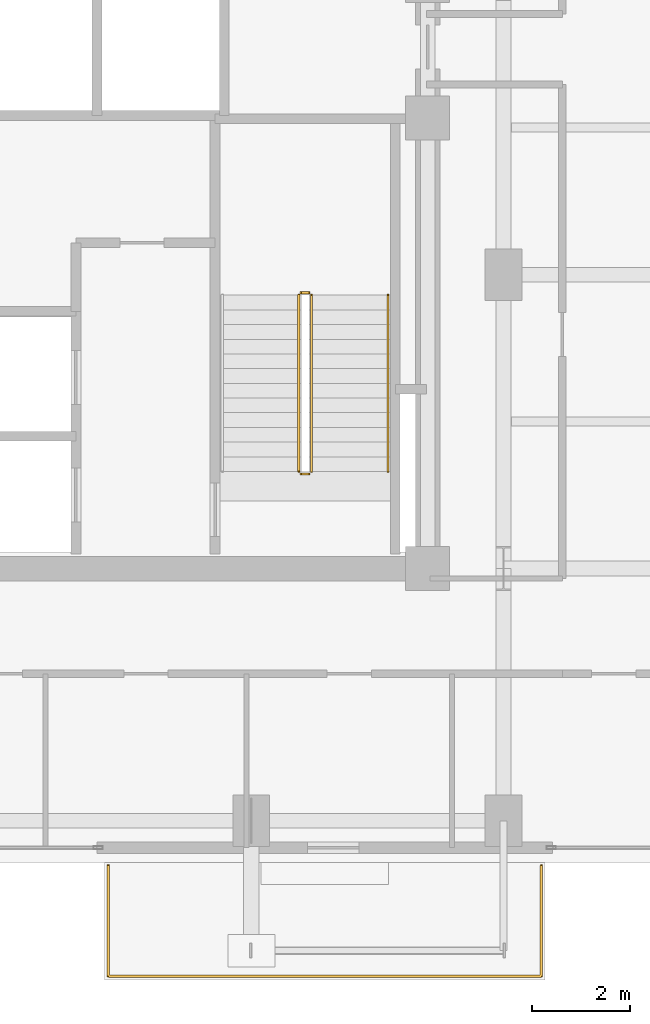
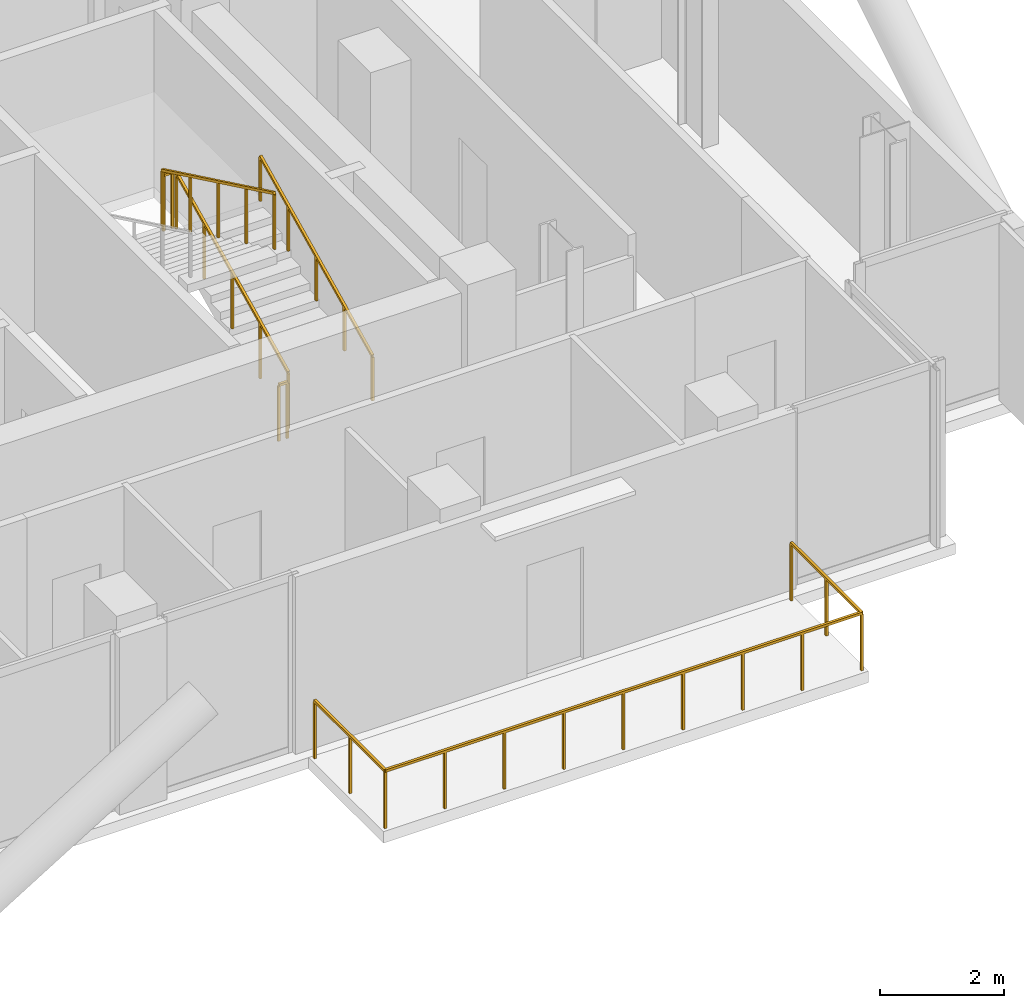
# One storey, part 26 of 26: 6 railings.
"""IFC4 building model written with IfcOpenShell, lengths in metres."""

import ifcopenshell
import ifcopenshell.guid

model = None  # the IFC model being written
_history = None  # IfcOwnerHistory: only IFC2X3 demands one
_inside = {}  # id of a spatial element -> (the spatial element, [elements in it])
_under = {}  # id of a project, library or spatial element -> (it, [spatial elements below it])
_declared = {}  # id of a project -> (the project, [libraries it declares])
_typed = {}  # id of a type object -> (the type object, [elements of that type])
_made_of = {}  # id of a material, layer set ... -> (it, [elements and type objects made of it])


def new_model(schema):
    """Start an empty IFC model of exactly this schema.

    Asked for "IFC4X3", IfcOpenShell would pick the latest addendum, in which some entities
    have other attributes; the version numbers below select the first issue.
    IFC2X3 requires an IfcOwnerHistory on every rooted entity: one is made here for all.
    """
    global model, _history
    if schema == "IFC4X3":
        model = ifcopenshell.file(schema_version=(4, 3, 0, 0))
    else:
        model = ifcopenshell.file(schema=schema)
    _inside.clear()
    _under.clear()
    _declared.clear()
    _typed.clear()
    _made_of.clear()
    _history = None
    if model.schema == "IFC2X3":
        org = make("IfcOrganization", Name="unknown")
        user = make(
            "IfcPersonAndOrganization",
            ThePerson=make("IfcPerson", FamilyName="unknown"),
            TheOrganization=org,
        )
        app = make(
            "IfcApplication",
            ApplicationDeveloper=org,
            Version="unknown",
            ApplicationFullName="unknown",
            ApplicationIdentifier="unknown",
        )
        _history = make(
            "IfcOwnerHistory",
            OwningUser=user,
            OwningApplication=app,
            ChangeAction="ADDED",
            CreationDate=0,
        )
    return model


def make(cls, **values):
    """One entity of the class cls with the attributes given. An attribute that is None is left unset."""
    return model.create_entity(
        cls, **{name: value for name, value in values.items() if value is not None}
    )


def rooted(cls, **values):
    """An entity with a GlobalId (a new one), such as an element, a storey or a relation."""
    return make(cls, GlobalId=ifcopenshell.guid.new(), OwnerHistory=_history, **values)


def si_unit(unit_type, name, prefix=None):
    """IfcSIUnit, for example si_unit("LENGTHUNIT", "METRE", prefix="MILLI")."""
    return make("IfcSIUnit", UnitType=unit_type, Prefix=prefix, Name=name)


def assignment(units):
    """IfcUnitAssignment: the units of a project."""
    return None if units is None else make("IfcUnitAssignment", Units=units)


def point(xyz):
    """IfcCartesianPoint."""
    return None if xyz is None else make("IfcCartesianPoint", Coordinates=xyz)


def direction(xyz):
    """IfcDirection."""
    return None if xyz is None else make("IfcDirection", DirectionRatios=xyz)


def frame(location, z_axis=None, x_axis=None):
    """IfcAxis2Placement3D, a coordinate frame: its origin and axes. An axis left out is left unset."""
    return make(
        "IfcAxis2Placement3D",
        Location=point(location),
        Axis=direction(z_axis),
        RefDirection=direction(x_axis),
    )


def frame_2d(location, x_axis=None):
    """IfcAxis2Placement2D, a coordinate frame in the plane: its origin and x axis."""
    return make(
        "IfcAxis2Placement2D", Location=point(location), RefDirection=direction(x_axis)
    )


def origin():
    """The frame at (0, 0, 0) with its axes left unset."""
    return frame((0.0, 0.0, 0.0))


def origin_2d():
    """The frame at (0, 0) in the plane with its x axis left unset."""
    return frame_2d((0.0, 0.0))


def place(relative_to, where):
    """IfcLocalPlacement: puts the frame where relative to a parent placement (None: the world)."""
    return make(
        "IfcLocalPlacement", PlacementRelTo=relative_to, RelativePlacement=where
    )


def context(
    kind, dimensions, precision=None, world=None, true_north=None, identifier=None
):
    """IfcGeometricRepresentationContext, for example the 3D "Model" context."""
    return make(
        "IfcGeometricRepresentationContext",
        ContextIdentifier=identifier,
        ContextType=kind,
        CoordinateSpaceDimension=dimensions,
        Precision=precision,
        WorldCoordinateSystem=world,
        TrueNorth=true_north,
    )


def subcontext(parent, identifier, kind, view, scale=None):
    """IfcGeometricRepresentationSubContext, for example "Body" below "Model"."""
    return make(
        "IfcGeometricRepresentationSubContext",
        ContextIdentifier=identifier,
        ContextType=kind,
        ParentContext=parent,
        TargetScale=scale,
        TargetView=view,
    )


def project(units=None, contexts=None):
    """IfcProject with its units and contexts."""
    return rooted(
        "IfcProject",
        Name="project",
        RepresentationContexts=contexts,
        UnitsInContext=assignment(units),
    )


def spatial(cls, under=None, at=None, **own):
    """A site, building, storey or space (cls), placed at a placement, below another one or the project."""
    s = rooted(cls, ObjectPlacement=at, **own)
    if under is not None:
        _under.setdefault(under.id(), (under, []))[1].append(s)
    return s


def profile(cls, at=None, kind="AREA", **sizes):
    """A parametric profile (cls). Its sizes go by their IFC names, for example OverallWidth=200.0."""
    return make(cls, ProfileType=kind, Position=at, **sizes)


def rectangle(**sizes):
    """IfcRectangleProfileDef."""
    return profile("IfcRectangleProfileDef", **sizes)


def extrude(swept, where, along, depth):
    """IfcExtrudedAreaSolid: the profile swept, set in the frame where, extruded along a direction by depth."""
    return make(
        "IfcExtrudedAreaSolid",
        SweptArea=swept,
        Position=where,
        ExtrudedDirection=direction(along),
        Depth=depth,
    )


def shape(context_of_items, identifier, shape_type, items):
    """IfcShapeRepresentation: the items that make up one representation, for example the "Body"."""
    return make(
        "IfcShapeRepresentation",
        ContextOfItems=context_of_items,
        RepresentationIdentifier=identifier,
        RepresentationType=shape_type,
        Items=items,
    )


def material(Name=None, Category=None):
    """IfcMaterial."""
    return make("IfcMaterial", Name=Name, Category=Category)


def made_of(thing, what):
    """Note that an element or type object is made of a material, layer set ...; save() writes the relation."""
    if what is not None:
        _made_of.setdefault(what.id(), (what, []))[1].append(thing)
    return thing


def type_object(cls, material=None, **own):
    """A type object (cls), such as IfcWallType, which elements share."""
    return made_of(rooted(cls, **own), material)


def element(
    cls,
    number,
    at=None,
    inside=None,
    cuts=None,
    type_object=None,
    material=None,
    context=None,
    identifier="Body",
    shape_type=None,
    held_by="IfcProductDefinitionShape",
    body=None,
    shapes=None,
    **own,
):
    """One element of the class cls, such as IfcWall. Its Tag is "e" and its number.

    at: its placement. inside: the storey or other place that contains it. cuts: it is an
    opening in that element (IfcRelVoidsElement). A single representation is given by context,
    identifier, shape_type and body (its items); several are given by shapes. held_by: the class
    of the entity that holds the representations. save() writes the other relations.
    """
    e = rooted(cls, Tag="e%d" % number, ObjectPlacement=at, **own)
    if body is not None:
        shapes = [shape(context, identifier, shape_type, body)]
    if shapes is not None:
        e.Representation = make(held_by, Representations=shapes)
    if inside is not None:
        _inside.setdefault(inside.id(), (inside, []))[1].append(e)
    if cuts is not None:
        rooted(
            "IfcRelVoidsElement", RelatingBuildingElement=cuts, RelatedOpeningElement=e
        )
    if type_object is not None:
        _typed.setdefault(type_object.id(), (type_object, []))[1].append(e)
    return made_of(e, material)


def aggregate(whole, parts):
    """IfcRelAggregates: a whole, such as a stair, and the parts it consists of."""
    return rooted("IfcRelAggregates", RelatingObject=whole, RelatedObjects=parts)


def save(model, path):
    """Write the relations noted so far, then the file.

    IfcRelAggregates (storeys below a building ...), IfcRelContainedInSpatialStructure (elements
    in a storey), IfcRelDefinesByType, IfcRelAssociatesMaterial and IfcRelDeclares: one each for
    every whole, place, type object, material and project.
    """
    for whole, parts in _under.values():
        aggregate(whole, parts)
    for where, things in _inside.values():
        rooted(
            "IfcRelContainedInSpatialStructure",
            RelatedElements=things,
            RelatingStructure=where,
        )
    for kind, things in _typed.values():
        rooted("IfcRelDefinesByType", RelatedObjects=things, RelatingType=kind)
    for what, things in _made_of.values():
        rooted("IfcRelAssociatesMaterial", RelatedObjects=things, RelatingMaterial=what)
    for by, libraries in _declared.values():
        rooted("IfcRelDeclares", RelatingContext=by, RelatedDefinitions=libraries)
    model.write(path)


model = new_model("IFC4")

# Units and contexts
model_context = context("Model", 3, precision=1e-05, world=origin(), true_north=direction((0.0, 1.0)))
body_context = subcontext(model_context, "Body", "Model", "MODEL_VIEW")
ifc_project = project(units=[si_unit("LENGTHUNIT", "METRE"), si_unit("AREAUNIT", "SQUARE_METRE"), si_unit("VOLUMEUNIT", "CUBIC_METRE"), si_unit("PLANEANGLEUNIT", "RADIAN"), si_unit("MASSUNIT", "GRAM", prefix="KILO"), si_unit("THERMODYNAMICTEMPERATUREUNIT", "KELVIN"), si_unit("POWERUNIT", "WATT")], contexts=[model_context])

# Site, building, storey
site_placement = place(None, origin())
site = spatial("IfcSite", under=ifc_project, at=site_placement, CompositionType="ELEMENT")
building_placement = place(site_placement, origin())
building = spatial("IfcBuilding", under=site, at=building_placement, Name="Svarakhadi Broadcast Tower", CompositionType="ELEMENT")
storey_placement = place(building_placement, frame((0.0, 0.0, 195.449951171875)))
storey = spatial("IfcBuildingStorey", under=building, at=storey_placement, Name="L48", CompositionType="ELEMENT", Elevation=195.449951171875)

# Railings
ifc_material_1 = material(Name="Laminated Structural SentryGlas Balustrade 25.5 mm", Category="glass")
railing_type_1 = type_object("IfcRailingType", Name="Guard_Balcony_GR01", PredefinedType="BALUSTRADE", material=ifc_material_1)
railing_1_placement = place(storey_placement, frame((27.080078125, -0.06005859375, 0.0)))
element("IfcRailing", 1, at=railing_1_placement, inside=storey, type_object=railing_type_1, Name="L48 South Tree Balcony Guard GR-05", PredefinedType="BALUSTRADE", context=body_context, shape_type="SweptSolid", body=[
    extrude(rectangle(XDim=0.048095703125, YDim=0.048095703125, at=origin_2d()), frame((0.0, 0.0, 1.1259765625), z_axis=(0.0, -1.0, 0.0), x_axis=(1.0, 0.0, 0.0)), (0.0, 0.0, 1.0), 2.260009765625),
    extrude(rectangle(XDim=0.048095703125, YDim=0.048095703125, at=origin_2d()), frame((0.0, -2.260009765625, 1.1259765625), z_axis=(1.0, 0.0, 0.0), x_axis=(0.0, 1.0, 0.0)), (0.0, 0.0, 1.0), 8.83984375),
    extrude(rectangle(XDim=0.048095703125, YDim=0.048095703125, at=origin_2d()), frame((8.83984375, -2.260009765625, 1.1259765625), z_axis=(0.0, 1.0, 0.0), x_axis=(-1.0, 0.0, 0.0)), (0.0, 0.0, 1.0), 2.260009765625),
    extrude(rectangle(XDim=0.0419921875, YDim=0.0419921875, at=origin_2d()), origin(), (0.0, 0.0, 1.0), 1.101806640625),
    extrude(rectangle(XDim=0.0419921875, YDim=0.0419921875, at=origin_2d()), frame((0.0, -1.1298828125, 0.0)), (0.0, 0.0, 1.0), 1.101806640625),
    extrude(rectangle(XDim=0.0419921875, YDim=0.0419921875, at=origin_2d()), frame((0.0, -2.260009765625, 0.0)), (0.0, 0.0, 1.0), 1.101806640625),
    extrude(rectangle(XDim=0.0419921875, YDim=0.0419921875, at=origin_2d()), frame((1.10498046875, -2.260009765625, 0.0)), (0.0, 0.0, 1.0), 1.101806640625),
    extrude(rectangle(XDim=0.0419921875, YDim=0.0419921875, at=origin_2d()), frame((2.2099609375, -2.260009765625, 0.0)), (0.0, 0.0, 1.0), 1.101806640625),
    extrude(rectangle(XDim=0.0419921875, YDim=0.0419921875, at=origin_2d()), frame((3.31494140625, -2.260009765625, 0.0)), (0.0, 0.0, 1.0), 1.101806640625),
    extrude(rectangle(XDim=0.0419921875, YDim=0.0419921875, at=origin_2d()), frame((4.419921875, -2.260009765625, 0.0)), (0.0, 0.0, 1.0), 1.101806640625),
    extrude(rectangle(XDim=0.0419921875, YDim=0.0419921875, at=origin_2d()), frame((5.52490234375, -2.260009765625, 0.0)), (0.0, 0.0, 1.0), 1.101806640625),
    extrude(rectangle(XDim=0.0419921875, YDim=0.0419921875, at=origin_2d()), frame((6.6298828125, -2.260009765625, 0.0)), (0.0, 0.0, 1.0), 1.101806640625),
    extrude(rectangle(XDim=0.0419921875, YDim=0.0419921875, at=origin_2d()), frame((7.73486328125, -2.260009765625, 0.0)), (0.0, 0.0, 1.0), 1.101806640625),
    extrude(rectangle(XDim=0.0419921875, YDim=0.0419921875, at=origin_2d()), frame((8.83984375, -2.260009765625, 0.0)), (0.0, 0.0, 1.0), 1.101806640625),
    extrude(rectangle(XDim=0.0419921875, YDim=0.0419921875, at=origin_2d()), frame((8.83984375, -1.1298828125, 0.0)), (0.0, 0.0, 1.0), 1.101806640625),
    extrude(rectangle(XDim=0.0419921875, YDim=0.0419921875, at=origin_2d()), frame((8.83984375, 0.0, 0.0)), (0.0, 0.0, 1.0), 1.101806640625),
])
ifc_material_2 = material(Name="Anodised Bronze Aluminium AA 6063-T6", Category="aluminium")
railing_type_2 = type_object("IfcRailingType", Name="Guard_Stair_GR01", PredefinedType="GUARDRAIL", material=ifc_material_2)
railing_2_placement = place(storey_placement, frame((31.22998046875, 7.97998046875, 0.144287109375)))
element("IfcRailing", 2, at=railing_2_placement, inside=storey, type_object=railing_type_2, Name="L48 ST-02 stair guard 1", PredefinedType="GUARDRAIL", context=body_context, shape_type="SweptSolid", body=[
    extrude(rectangle(XDim=0.048095703125, YDim=0.048095703125, at=origin_2d()), frame((0.0, 0.0, 1.09619140625), z_axis=(0.0, 0.901262522062, 0.433273431364), x_axis=(-1.0, 0.0, 0.0)), (0.0, 0.0, 1.0), 3.994384765625),
    extrude(rectangle(XDim=0.0419921875, YDim=0.0419921875, at=origin_2d()), origin(), (0.0, 0.0, 1.0), 1.072021484375),
    extrude(rectangle(XDim=0.0419921875, YDim=0.0419921875, at=origin_2d()), frame((0.0, 0.89990234375, 0.4326171875)), (0.0, 0.0, 1.0), 1.072021484375),
    extrude(rectangle(XDim=0.0419921875, YDim=0.0419921875, at=origin_2d()), frame((0.0, 1.800048828125, 0.865234375)), (0.0, 0.0, 1.0), 1.072021484375),
    extrude(rectangle(XDim=0.0419921875, YDim=0.0419921875, at=origin_2d()), frame((0.0, 2.7001953125, 1.298095703125)), (0.0, 0.0, 1.0), 1.072021484375),
    extrude(rectangle(XDim=0.0419921875, YDim=0.0419921875, at=origin_2d()), frame((0.0, 3.60009765625, 1.730712890625)), (0.0, 0.0, 1.0), 1.072021484375),
])
railing_3_placement = place(storey_placement, frame((31.179931640625, 11.6298828125, 1.875)))
element("IfcRailing", 3, at=railing_3_placement, inside=storey, type_object=railing_type_2, Name="L48 ST-02 stair guard 2", PredefinedType="GUARDRAIL", context=body_context, shape_type="SweptSolid", body=[
    extrude(rectangle(XDim=0.048095703125, YDim=0.048095703125, at=origin_2d()), frame((0.0, 0.0, 1.09619140625), z_axis=(-1.0, 0.0, 0.0), x_axis=(0.0, -1.0, 0.0)), (0.0, 0.0, 1.0), 0.159912109375),
    extrude(rectangle(XDim=0.0419921875, YDim=0.0419921875, at=origin_2d()), origin(), (0.0, 0.0, 1.0), 1.072021484375),
    extrude(rectangle(XDim=0.0419921875, YDim=0.0419921875, at=origin_2d()), frame((-0.159912109375, 0.0, 0.0)), (0.0, 0.0, 1.0), 1.072021484375),
])
railing_4_placement = place(storey_placement, frame((30.969970703125, 11.580078125, 2.019287109375)))
element("IfcRailing", 4, at=railing_4_placement, inside=storey, type_object=railing_type_2, Name="L48 ST-02 stair guard 3", PredefinedType="GUARDRAIL", context=body_context, shape_type="SweptSolid", body=[
    extrude(rectangle(XDim=0.048095703125, YDim=0.048095703125, at=origin_2d()), frame((0.0, 0.0, 1.09619140625), z_axis=(0.0, -0.901262522062, 0.433273431364), x_axis=(1.0, 0.0, 0.0)), (0.0, 0.0, 1.0), 3.994384765625),
    extrude(rectangle(XDim=0.0419921875, YDim=0.0419921875, at=origin_2d()), origin(), (0.0, 0.0, 1.0), 1.072021484375),
    extrude(rectangle(XDim=0.0419921875, YDim=0.0419921875, at=origin_2d()), frame((0.0, -0.89990234375, 0.4326171875)), (0.0, 0.0, 1.0), 1.072021484375),
    extrude(rectangle(XDim=0.0419921875, YDim=0.0419921875, at=origin_2d()), frame((0.0, -1.800048828125, 0.865234375)), (0.0, 0.0, 1.0), 1.072021484375),
    extrude(rectangle(XDim=0.0419921875, YDim=0.0419921875, at=origin_2d()), frame((0.0, -2.7001953125, 1.298095703125)), (0.0, 0.0, 1.0), 1.072021484375),
    extrude(rectangle(XDim=0.0419921875, YDim=0.0419921875, at=origin_2d()), frame((0.0, -3.60009765625, 1.730712890625)), (0.0, 0.0, 1.0), 1.072021484375),
])
railing_5_placement = place(storey_placement, frame((31.179931640625, 7.929931640625, 0.0)))
element("IfcRailing", 5, at=railing_5_placement, inside=storey, type_object=railing_type_2, Name="L48 ST-02 stair guard 4", PredefinedType="GUARDRAIL", context=body_context, shape_type="SweptSolid", body=[
    extrude(rectangle(XDim=0.048095703125, YDim=0.048095703125, at=origin_2d()), frame((0.0, 0.0, 1.09619140625), z_axis=(-1.0, 0.0, 0.0), x_axis=(0.0, -1.0, 0.0)), (0.0, 0.0, 1.0), 0.159912109375),
    extrude(rectangle(XDim=0.0419921875, YDim=0.0419921875, at=origin_2d()), origin(), (0.0, 0.0, 1.0), 1.072021484375),
    extrude(rectangle(XDim=0.0419921875, YDim=0.0419921875, at=origin_2d()), frame((-0.159912109375, 0.0, 0.0)), (0.0, 0.0, 1.0), 1.072021484375),
])
railing_type_3 = type_object("IfcRailingType", Name="Handrail_Stair_HR01", PredefinedType="HANDRAIL", material=ifc_material_2)
railing_6_placement = place(storey_placement, frame((32.7900390625, 7.97998046875, 0.144287109375)))
element("IfcRailing", 6, at=railing_6_placement, inside=storey, type_object=railing_type_3, Name="L48 ST-02 stair handrail 1", PredefinedType="HANDRAIL", context=body_context, shape_type="SweptSolid", body=[
    extrude(rectangle(XDim=0.048095703125, YDim=0.048095703125, at=origin_2d()), frame((0.0, 0.0, 0.8759765625), z_axis=(0.0, 0.901262522062, 0.433273431364), x_axis=(-1.0, 0.0, 0.0)), (0.0, 0.0, 1.0), 3.994384765625),
    extrude(rectangle(XDim=0.0419921875, YDim=0.0419921875, at=origin_2d()), origin(), (0.0, 0.0, 1.0), 0.851806640625),
    extrude(rectangle(XDim=0.0419921875, YDim=0.0419921875, at=origin_2d()), frame((0.0, 0.89990234375, 0.4326171875)), (0.0, 0.0, 1.0), 0.851806640625),
    extrude(rectangle(XDim=0.0419921875, YDim=0.0419921875, at=origin_2d()), frame((0.0, 1.800048828125, 0.865234375)), (0.0, 0.0, 1.0), 0.851806640625),
    extrude(rectangle(XDim=0.0419921875, YDim=0.0419921875, at=origin_2d()), frame((0.0, 2.7001953125, 1.298095703125)), (0.0, 0.0, 1.0), 0.851806640625),
    extrude(rectangle(XDim=0.0419921875, YDim=0.0419921875, at=origin_2d()), frame((0.0, 3.60009765625, 1.730712890625)), (0.0, 0.0, 1.0), 0.851806640625),
])

save(model, "model.ifc")
